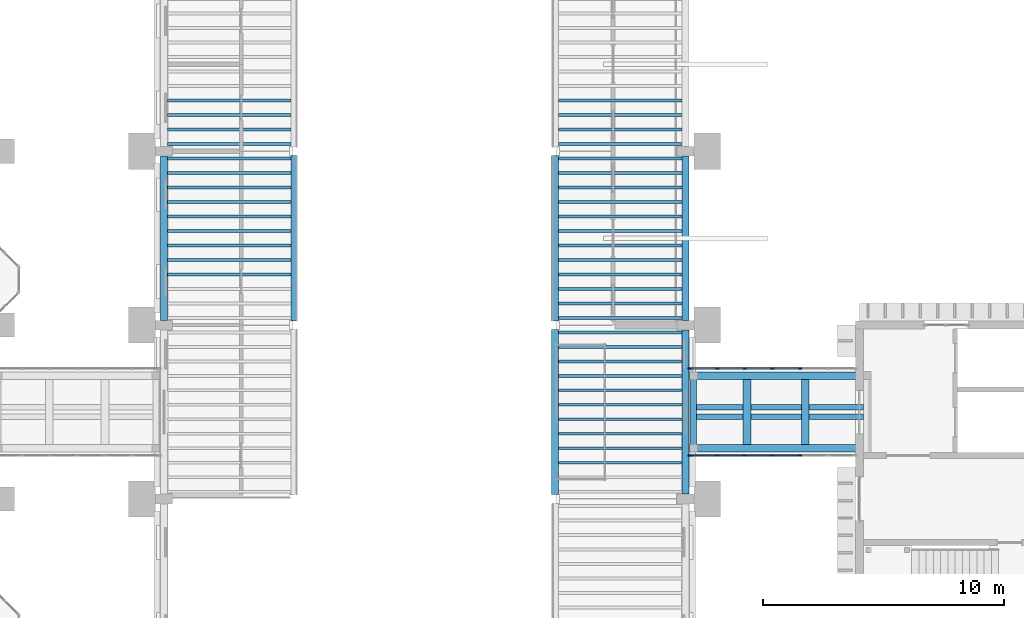
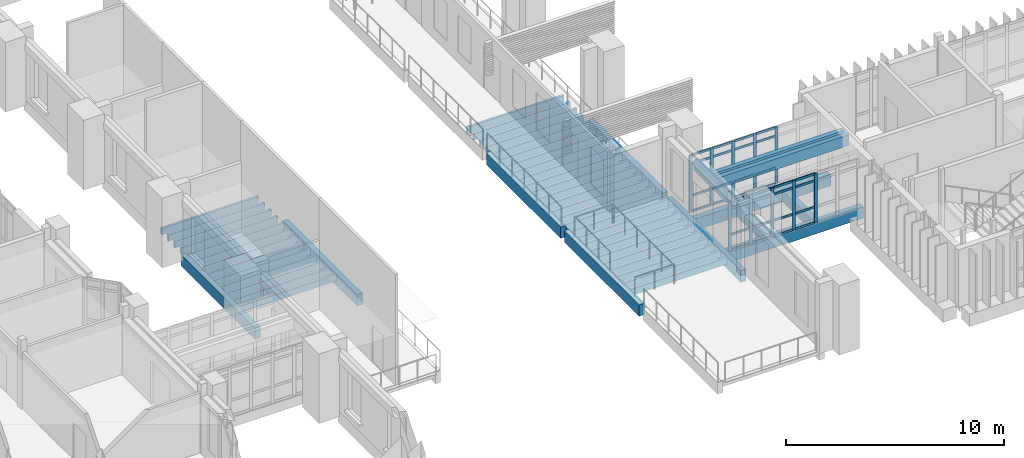
# One storey, part 8 of 69: 52 beams, 42 members, 2 elements without a shape of their own.
"""IFC4 building model written with IfcOpenShell, lengths in metres."""

from ifc_helpers import new_model, si_unit, direction, frame, origin, origin_2d, place, context, subcontext, project, spatial, rectangle, extrude, material, layer, layer_set, material_profile, profile_set, type_object, element, aggregate, save


model = new_model("IFC4")

# Units and contexts
model_context = context("Model", 3, precision=1e-05, world=origin(), true_north=direction((0.0, 1.0)))
body_context = subcontext(model_context, "Body", "Model", "MODEL_VIEW")
ifc_project = project(units=[si_unit("LENGTHUNIT", "METRE"), si_unit("AREAUNIT", "SQUARE_METRE"), si_unit("VOLUMEUNIT", "CUBIC_METRE"), si_unit("PLANEANGLEUNIT", "RADIAN"), si_unit("MASSUNIT", "GRAM", prefix="KILO")], contexts=[model_context])

# Site, building, storey
site_placement = place(None, origin())
site = spatial("IfcSite", under=ifc_project, at=site_placement, CompositionType="ELEMENT")
building_placement = place(site_placement, origin())
building = spatial("IfcBuilding", under=site, at=building_placement, Name="Mazhai Court Health Centre", CompositionType="ELEMENT")
storey_placement = place(building_placement, frame((0.0, 0.0, 6.300048828125)))
storey = spatial("IfcBuildingStorey", under=building, at=storey_placement, Name="L01", CompositionType="ELEMENT", Elevation=6.300048828125)

# Curtain wall, members
ifc_material_1 = material(Name="Teak timber frame, glazed", Category="wood")
ifc_layer = layer(ifc_material_1, 0.10009765625)
ifc_layer_set = layer_set([ifc_layer], Name="CURTAIN WALL TIMBER 1200")
curtain_wall_type = type_object("IfcCurtainWallType", Name="CURTAIN WALL TIMBER 1200", PredefinedType="NOTDEFINED", material=ifc_layer_set)
curtain_wall_1_placement = place(storey_placement, origin())
curtain_wall_1 = element("IfcCurtainWall", 1, at=curtain_wall_1_placement, inside=storey, type_object=curtain_wall_type, Name="CW-BR-P2-S", PredefinedType="NOTDEFINED")
ifc_material_2 = material(Name="Teak timber", Category="wood")
ifc_material_profile_1 = material_profile(ifc_material_2, rectangle(XDim=0.06005859375, YDim=0.159912109375, at=origin_2d()), Name="CW MULLION 60x160")
ifc_profile_set_1 = profile_set([ifc_material_profile_1], Name="Teak timber")
member_type_1 = type_object("IfcMemberType", Name="CW MULLION 60x160", PredefinedType="MULLION", material=ifc_profile_set_1)
member_1_placement = place(storey_placement, frame((63.9951171875, 22.39990234375, 0.0), z_axis=(0.0, 0.0, 1.0), x_axis=(0.0, 1.0, 0.0)))
member_1 = element("IfcMember", 2, at=member_1_placement, type_object=member_type_1, Name="CW mullion 1", PredefinedType="MULLION", context=body_context, shape_type="SweptSolid", body=[
    extrude(rectangle(XDim=0.06005859375, YDim=0.159912109375, at=origin_2d()), origin(), (0.0, 0.0, 1.0), 2.780029296875),
])
member_2_placement = place(storey_placement, frame((65.110107421875, 22.39990234375, 0.0), z_axis=(0.0, 0.0, 1.0), x_axis=(0.0, 1.0, 0.0)))
member_2 = element("IfcMember", 3, at=member_2_placement, type_object=member_type_1, Name="CW mullion 2", PredefinedType="MULLION", context=body_context, shape_type="SweptSolid", body=[
    extrude(rectangle(XDim=0.06005859375, YDim=0.159912109375, at=origin_2d()), origin(), (0.0, 0.0, 1.0), 2.780029296875),
])
member_3_placement = place(storey_placement, frame((66.2548828125, 22.39990234375, 0.0), z_axis=(0.0, 0.0, 1.0), x_axis=(0.0, 1.0, 0.0)))
member_3 = element("IfcMember", 4, at=member_3_placement, type_object=member_type_1, Name="CW mullion 3", PredefinedType="MULLION", context=body_context, shape_type="SweptSolid", body=[
    extrude(rectangle(XDim=0.06005859375, YDim=0.159912109375, at=origin_2d()), origin(), (0.0, 0.0, 1.0), 2.780029296875),
])
member_4_placement = place(storey_placement, frame((67.39990234375, 22.39990234375, 0.0), z_axis=(0.0, 0.0, 1.0), x_axis=(0.0, 1.0, 0.0)))
member_4 = element("IfcMember", 5, at=member_4_placement, type_object=member_type_1, Name="CW mullion 4", PredefinedType="MULLION", context=body_context, shape_type="SweptSolid", body=[
    extrude(rectangle(XDim=0.06005859375, YDim=0.159912109375, at=origin_2d()), origin(), (0.0, 0.0, 1.0), 2.780029296875),
])
member_5_placement = place(storey_placement, frame((68.544921875, 22.39990234375, 0.0), z_axis=(0.0, 0.0, 1.0), x_axis=(0.0, 1.0, 0.0)))
member_5 = element("IfcMember", 6, at=member_5_placement, type_object=member_type_1, Name="CW mullion 5", PredefinedType="MULLION", context=body_context, shape_type="SweptSolid", body=[
    extrude(rectangle(XDim=0.06005859375, YDim=0.159912109375, at=origin_2d()), origin(), (0.0, 0.0, 1.0), 2.780029296875),
])

curtain_wall_2_placement = place(storey_placement, origin())
curtain_wall_2 = element("IfcCurtainWall", 7, at=curtain_wall_2_placement, inside=storey, type_object=curtain_wall_type, Name="CW-BR-P2-N", PredefinedType="NOTDEFINED")
member_6_placement = place(storey_placement, frame((63.9951171875, 26.0, 0.0), z_axis=(0.0, 0.0, 1.0), x_axis=(0.0, 1.0, 0.0)))
member_6 = element("IfcMember", 8, at=member_6_placement, type_object=member_type_1, Name="CW mullion 1", PredefinedType="MULLION", context=body_context, shape_type="SweptSolid", body=[
    extrude(rectangle(XDim=0.06005859375, YDim=0.159912109375, at=origin_2d()), origin(), (0.0, 0.0, 1.0), 3.199951171875),
])
member_7_placement = place(storey_placement, frame((65.110107421875, 26.0, 0.0), z_axis=(0.0, 0.0, 1.0), x_axis=(0.0, 1.0, 0.0)))
member_7 = element("IfcMember", 9, at=member_7_placement, type_object=member_type_1, Name="CW mullion 2", PredefinedType="MULLION", context=body_context, shape_type="SweptSolid", body=[
    extrude(rectangle(XDim=0.06005859375, YDim=0.159912109375, at=origin_2d()), origin(), (0.0, 0.0, 1.0), 3.199951171875),
])
member_8_placement = place(storey_placement, frame((66.2548828125, 26.0, 0.0), z_axis=(0.0, 0.0, 1.0), x_axis=(0.0, 1.0, 0.0)))
member_8 = element("IfcMember", 10, at=member_8_placement, type_object=member_type_1, Name="CW mullion 3", PredefinedType="MULLION", context=body_context, shape_type="SweptSolid", body=[
    extrude(rectangle(XDim=0.06005859375, YDim=0.159912109375, at=origin_2d()), origin(), (0.0, 0.0, 1.0), 3.199951171875),
])
member_9_placement = place(storey_placement, frame((67.39990234375, 26.0, 0.0), z_axis=(0.0, 0.0, 1.0), x_axis=(0.0, 1.0, 0.0)))
member_9 = element("IfcMember", 11, at=member_9_placement, type_object=member_type_1, Name="CW mullion 4", PredefinedType="MULLION", context=body_context, shape_type="SweptSolid", body=[
    extrude(rectangle(XDim=0.06005859375, YDim=0.159912109375, at=origin_2d()), origin(), (0.0, 0.0, 1.0), 3.199951171875),
])
member_10_placement = place(storey_placement, frame((68.544921875, 26.0, 0.0), z_axis=(0.0, 0.0, 1.0), x_axis=(0.0, 1.0, 0.0)))
member_10 = element("IfcMember", 12, at=member_10_placement, type_object=member_type_1, Name="CW mullion 5", PredefinedType="MULLION", context=body_context, shape_type="SweptSolid", body=[
    extrude(rectangle(XDim=0.06005859375, YDim=0.159912109375, at=origin_2d()), origin(), (0.0, 0.0, 1.0), 3.199951171875),
])

# Member
ifc_material_3 = material(Name="Teak timber", Category="wood")
ifc_material_profile_2 = material_profile(ifc_material_3, rectangle(XDim=0.06005859375, YDim=0.1201171875, at=origin_2d()), Name="CW TRANSOM 60x120")
ifc_profile_set_2 = profile_set([ifc_material_profile_2], Name="Teak timber")
member_type_2 = type_object("IfcMemberType", Name="CW TRANSOM 60x120", PredefinedType="USERDEFINED", material=ifc_profile_set_2)
member_11_placement = place(storey_placement, frame((64.02490234375, 22.39990234375, 0.030029296875), z_axis=(1.0, 0.0, 0.0), x_axis=(0.0, 1.0, 0.0)))
member_11 = element("IfcMember", 13, at=member_11_placement, type_object=member_type_2, Name="CW transom 1.1", ObjectType="TRANSOM", PredefinedType="USERDEFINED", context=body_context, shape_type="SweptSolid", body=[
    extrude(rectangle(XDim=0.06005859375, YDim=0.1201171875, at=origin_2d()), origin(), (0.0, 0.0, 1.0), 1.05517578125),
])

member_12_placement = place(storey_placement, frame((64.02490234375, 22.39990234375, 0.89990234375), z_axis=(1.0, 0.0, 0.0), x_axis=(0.0, 1.0, 0.0)))
member_12 = element("IfcMember", 14, at=member_12_placement, type_object=member_type_2, Name="CW transom 1.2", ObjectType="TRANSOM", PredefinedType="USERDEFINED", context=body_context, shape_type="SweptSolid", body=[
    extrude(rectangle(XDim=0.06005859375, YDim=0.1201171875, at=origin_2d()), origin(), (0.0, 0.0, 1.0), 1.05517578125),
])

member_13_placement = place(storey_placement, frame((64.02490234375, 22.39990234375, 2.3798828125), z_axis=(1.0, 0.0, 0.0), x_axis=(0.0, 1.0, 0.0)))
member_13 = element("IfcMember", 15, at=member_13_placement, type_object=member_type_2, Name="CW transom 1.3", ObjectType="TRANSOM", PredefinedType="USERDEFINED", context=body_context, shape_type="SweptSolid", body=[
    extrude(rectangle(XDim=0.06005859375, YDim=0.1201171875, at=origin_2d()), origin(), (0.0, 0.0, 1.0), 1.05517578125),
])

member_14_placement = place(storey_placement, frame((64.02490234375, 22.39990234375, 2.75), z_axis=(1.0, 0.0, 0.0), x_axis=(0.0, 1.0, 0.0)))
member_14 = element("IfcMember", 16, at=member_14_placement, type_object=member_type_2, Name="CW transom 1.4", ObjectType="TRANSOM", PredefinedType="USERDEFINED", context=body_context, shape_type="SweptSolid", body=[
    extrude(rectangle(XDim=0.06005859375, YDim=0.1201171875, at=origin_2d()), origin(), (0.0, 0.0, 1.0), 1.05517578125),
])

member_15_placement = place(storey_placement, frame((65.139892578125, 22.39990234375, 0.030029296875), z_axis=(1.0, 0.0, 0.0), x_axis=(0.0, 1.0, 0.0)))
member_15 = element("IfcMember", 17, at=member_15_placement, type_object=member_type_2, Name="CW transom 2.1", ObjectType="TRANSOM", PredefinedType="USERDEFINED", context=body_context, shape_type="SweptSolid", body=[
    extrude(rectangle(XDim=0.06005859375, YDim=0.1201171875, at=origin_2d()), origin(), (0.0, 0.0, 1.0), 1.085205078125),
])

member_16_placement = place(storey_placement, frame((65.139892578125, 22.39990234375, 0.89990234375), z_axis=(1.0, 0.0, 0.0), x_axis=(0.0, 1.0, 0.0)))
member_16 = element("IfcMember", 18, at=member_16_placement, type_object=member_type_2, Name="CW transom 2.2", ObjectType="TRANSOM", PredefinedType="USERDEFINED", context=body_context, shape_type="SweptSolid", body=[
    extrude(rectangle(XDim=0.06005859375, YDim=0.1201171875, at=origin_2d()), origin(), (0.0, 0.0, 1.0), 1.085205078125),
])

member_17_placement = place(storey_placement, frame((65.139892578125, 22.39990234375, 2.3798828125), z_axis=(1.0, 0.0, 0.0), x_axis=(0.0, 1.0, 0.0)))
member_17 = element("IfcMember", 19, at=member_17_placement, type_object=member_type_2, Name="CW transom 2.3", ObjectType="TRANSOM", PredefinedType="USERDEFINED", context=body_context, shape_type="SweptSolid", body=[
    extrude(rectangle(XDim=0.06005859375, YDim=0.1201171875, at=origin_2d()), origin(), (0.0, 0.0, 1.0), 1.085205078125),
])

member_18_placement = place(storey_placement, frame((65.139892578125, 22.39990234375, 2.75), z_axis=(1.0, 0.0, 0.0), x_axis=(0.0, 1.0, 0.0)))
member_18 = element("IfcMember", 20, at=member_18_placement, type_object=member_type_2, Name="CW transom 2.4", ObjectType="TRANSOM", PredefinedType="USERDEFINED", context=body_context, shape_type="SweptSolid", body=[
    extrude(rectangle(XDim=0.06005859375, YDim=0.1201171875, at=origin_2d()), origin(), (0.0, 0.0, 1.0), 1.085205078125),
])

member_19_placement = place(storey_placement, frame((66.284912109375, 22.39990234375, 0.030029296875), z_axis=(1.0, 0.0, 0.0), x_axis=(0.0, 1.0, 0.0)))
member_19 = element("IfcMember", 21, at=member_19_placement, type_object=member_type_2, Name="CW transom 3.1", ObjectType="TRANSOM", PredefinedType="USERDEFINED", context=body_context, shape_type="SweptSolid", body=[
    extrude(rectangle(XDim=0.06005859375, YDim=0.1201171875, at=origin_2d()), origin(), (0.0, 0.0, 1.0), 1.085205078125),
])

member_20_placement = place(storey_placement, frame((66.284912109375, 22.39990234375, 0.89990234375), z_axis=(1.0, 0.0, 0.0), x_axis=(0.0, 1.0, 0.0)))
member_20 = element("IfcMember", 22, at=member_20_placement, type_object=member_type_2, Name="CW transom 3.2", ObjectType="TRANSOM", PredefinedType="USERDEFINED", context=body_context, shape_type="SweptSolid", body=[
    extrude(rectangle(XDim=0.06005859375, YDim=0.1201171875, at=origin_2d()), origin(), (0.0, 0.0, 1.0), 1.085205078125),
])

member_21_placement = place(storey_placement, frame((66.284912109375, 22.39990234375, 2.3798828125), z_axis=(1.0, 0.0, 0.0), x_axis=(0.0, 1.0, 0.0)))
member_21 = element("IfcMember", 23, at=member_21_placement, type_object=member_type_2, Name="CW transom 3.3", ObjectType="TRANSOM", PredefinedType="USERDEFINED", context=body_context, shape_type="SweptSolid", body=[
    extrude(rectangle(XDim=0.06005859375, YDim=0.1201171875, at=origin_2d()), origin(), (0.0, 0.0, 1.0), 1.085205078125),
])

member_22_placement = place(storey_placement, frame((66.284912109375, 22.39990234375, 2.75), z_axis=(1.0, 0.0, 0.0), x_axis=(0.0, 1.0, 0.0)))
member_22 = element("IfcMember", 24, at=member_22_placement, type_object=member_type_2, Name="CW transom 3.4", ObjectType="TRANSOM", PredefinedType="USERDEFINED", context=body_context, shape_type="SweptSolid", body=[
    extrude(rectangle(XDim=0.06005859375, YDim=0.1201171875, at=origin_2d()), origin(), (0.0, 0.0, 1.0), 1.085205078125),
])

member_23_placement = place(storey_placement, frame((67.429931640625, 22.39990234375, 0.030029296875), z_axis=(1.0, 0.0, 0.0), x_axis=(0.0, 1.0, 0.0)))
member_23 = element("IfcMember", 25, at=member_23_placement, type_object=member_type_2, Name="CW transom 4.1", ObjectType="TRANSOM", PredefinedType="USERDEFINED", context=body_context, shape_type="SweptSolid", body=[
    extrude(rectangle(XDim=0.06005859375, YDim=0.1201171875, at=origin_2d()), origin(), (0.0, 0.0, 1.0), 1.0849609375),
])

member_24_placement = place(storey_placement, frame((67.429931640625, 22.39990234375, 0.89990234375), z_axis=(1.0, 0.0, 0.0), x_axis=(0.0, 1.0, 0.0)))
member_24 = element("IfcMember", 26, at=member_24_placement, type_object=member_type_2, Name="CW transom 4.2", ObjectType="TRANSOM", PredefinedType="USERDEFINED", context=body_context, shape_type="SweptSolid", body=[
    extrude(rectangle(XDim=0.06005859375, YDim=0.1201171875, at=origin_2d()), origin(), (0.0, 0.0, 1.0), 1.0849609375),
])

member_25_placement = place(storey_placement, frame((67.429931640625, 22.39990234375, 2.3798828125), z_axis=(1.0, 0.0, 0.0), x_axis=(0.0, 1.0, 0.0)))
member_25 = element("IfcMember", 27, at=member_25_placement, type_object=member_type_2, Name="CW transom 4.3", ObjectType="TRANSOM", PredefinedType="USERDEFINED", context=body_context, shape_type="SweptSolid", body=[
    extrude(rectangle(XDim=0.06005859375, YDim=0.1201171875, at=origin_2d()), origin(), (0.0, 0.0, 1.0), 1.0849609375),
])

member_26_placement = place(storey_placement, frame((67.429931640625, 22.39990234375, 2.75), z_axis=(1.0, 0.0, 0.0), x_axis=(0.0, 1.0, 0.0)))
member_26 = element("IfcMember", 28, at=member_26_placement, type_object=member_type_2, Name="CW transom 4.4", ObjectType="TRANSOM", PredefinedType="USERDEFINED", context=body_context, shape_type="SweptSolid", body=[
    extrude(rectangle(XDim=0.06005859375, YDim=0.1201171875, at=origin_2d()), origin(), (0.0, 0.0, 1.0), 1.0849609375),
])

aggregate(curtain_wall_1, [member_1, member_2, member_3, member_4, member_5, member_11, member_12, member_13, member_14, member_15, member_16, member_17, member_18, member_19, member_20, member_21, member_22, member_23, member_24, member_25, member_26])

member_27_placement = place(storey_placement, frame((64.02490234375, 26.0, 0.030029296875), z_axis=(1.0, 0.0, 0.0), x_axis=(0.0, 1.0, 0.0)))
member_27 = element("IfcMember", 29, at=member_27_placement, type_object=member_type_2, Name="CW transom 1.1", ObjectType="TRANSOM", PredefinedType="USERDEFINED", context=body_context, shape_type="SweptSolid", body=[
    extrude(rectangle(XDim=0.06005859375, YDim=0.1201171875, at=origin_2d()), origin(), (0.0, 0.0, 1.0), 1.05517578125),
])

member_28_placement = place(storey_placement, frame((64.02490234375, 26.0, 0.89990234375), z_axis=(1.0, 0.0, 0.0), x_axis=(0.0, 1.0, 0.0)))
member_28 = element("IfcMember", 30, at=member_28_placement, type_object=member_type_2, Name="CW transom 1.2", ObjectType="TRANSOM", PredefinedType="USERDEFINED", context=body_context, shape_type="SweptSolid", body=[
    extrude(rectangle(XDim=0.06005859375, YDim=0.1201171875, at=origin_2d()), origin(), (0.0, 0.0, 1.0), 1.05517578125),
])

member_29_placement = place(storey_placement, frame((64.02490234375, 26.0, 2.699951171875), z_axis=(1.0, 0.0, 0.0), x_axis=(0.0, 1.0, 0.0)))
member_29 = element("IfcMember", 31, at=member_29_placement, type_object=member_type_2, Name="CW transom 1.3", ObjectType="TRANSOM", PredefinedType="USERDEFINED", context=body_context, shape_type="SweptSolid", body=[
    extrude(rectangle(XDim=0.06005859375, YDim=0.1201171875, at=origin_2d()), origin(), (0.0, 0.0, 1.0), 1.05517578125),
])

member_30_placement = place(storey_placement, frame((64.02490234375, 26.0, 3.169921875), z_axis=(1.0, 0.0, 0.0), x_axis=(0.0, 1.0, 0.0)))
member_30 = element("IfcMember", 32, at=member_30_placement, type_object=member_type_2, Name="CW transom 1.4", ObjectType="TRANSOM", PredefinedType="USERDEFINED", context=body_context, shape_type="SweptSolid", body=[
    extrude(rectangle(XDim=0.06005859375, YDim=0.1201171875, at=origin_2d()), origin(), (0.0, 0.0, 1.0), 1.05517578125),
])

member_31_placement = place(storey_placement, frame((65.139892578125, 26.0, 0.030029296875), z_axis=(1.0, 0.0, 0.0), x_axis=(0.0, 1.0, 0.0)))
member_31 = element("IfcMember", 33, at=member_31_placement, type_object=member_type_2, Name="CW transom 2.1", ObjectType="TRANSOM", PredefinedType="USERDEFINED", context=body_context, shape_type="SweptSolid", body=[
    extrude(rectangle(XDim=0.06005859375, YDim=0.1201171875, at=origin_2d()), origin(), (0.0, 0.0, 1.0), 1.085205078125),
])

member_32_placement = place(storey_placement, frame((65.139892578125, 26.0, 0.89990234375), z_axis=(1.0, 0.0, 0.0), x_axis=(0.0, 1.0, 0.0)))
member_32 = element("IfcMember", 34, at=member_32_placement, type_object=member_type_2, Name="CW transom 2.2", ObjectType="TRANSOM", PredefinedType="USERDEFINED", context=body_context, shape_type="SweptSolid", body=[
    extrude(rectangle(XDim=0.06005859375, YDim=0.1201171875, at=origin_2d()), origin(), (0.0, 0.0, 1.0), 1.085205078125),
])

member_33_placement = place(storey_placement, frame((65.139892578125, 26.0, 2.699951171875), z_axis=(1.0, 0.0, 0.0), x_axis=(0.0, 1.0, 0.0)))
member_33 = element("IfcMember", 35, at=member_33_placement, type_object=member_type_2, Name="CW transom 2.3", ObjectType="TRANSOM", PredefinedType="USERDEFINED", context=body_context, shape_type="SweptSolid", body=[
    extrude(rectangle(XDim=0.06005859375, YDim=0.1201171875, at=origin_2d()), origin(), (0.0, 0.0, 1.0), 1.085205078125),
])

member_34_placement = place(storey_placement, frame((65.139892578125, 26.0, 3.169921875), z_axis=(1.0, 0.0, 0.0), x_axis=(0.0, 1.0, 0.0)))
member_34 = element("IfcMember", 36, at=member_34_placement, type_object=member_type_2, Name="CW transom 2.4", ObjectType="TRANSOM", PredefinedType="USERDEFINED", context=body_context, shape_type="SweptSolid", body=[
    extrude(rectangle(XDim=0.06005859375, YDim=0.1201171875, at=origin_2d()), origin(), (0.0, 0.0, 1.0), 1.085205078125),
])

member_35_placement = place(storey_placement, frame((66.284912109375, 26.0, 0.030029296875), z_axis=(1.0, 0.0, 0.0), x_axis=(0.0, 1.0, 0.0)))
member_35 = element("IfcMember", 37, at=member_35_placement, type_object=member_type_2, Name="CW transom 3.1", ObjectType="TRANSOM", PredefinedType="USERDEFINED", context=body_context, shape_type="SweptSolid", body=[
    extrude(rectangle(XDim=0.06005859375, YDim=0.1201171875, at=origin_2d()), origin(), (0.0, 0.0, 1.0), 1.085205078125),
])

member_36_placement = place(storey_placement, frame((66.284912109375, 26.0, 0.89990234375), z_axis=(1.0, 0.0, 0.0), x_axis=(0.0, 1.0, 0.0)))
member_36 = element("IfcMember", 38, at=member_36_placement, type_object=member_type_2, Name="CW transom 3.2", ObjectType="TRANSOM", PredefinedType="USERDEFINED", context=body_context, shape_type="SweptSolid", body=[
    extrude(rectangle(XDim=0.06005859375, YDim=0.1201171875, at=origin_2d()), origin(), (0.0, 0.0, 1.0), 1.085205078125),
])

member_37_placement = place(storey_placement, frame((66.284912109375, 26.0, 2.699951171875), z_axis=(1.0, 0.0, 0.0), x_axis=(0.0, 1.0, 0.0)))
member_37 = element("IfcMember", 39, at=member_37_placement, type_object=member_type_2, Name="CW transom 3.3", ObjectType="TRANSOM", PredefinedType="USERDEFINED", context=body_context, shape_type="SweptSolid", body=[
    extrude(rectangle(XDim=0.06005859375, YDim=0.1201171875, at=origin_2d()), origin(), (0.0, 0.0, 1.0), 1.085205078125),
])

member_38_placement = place(storey_placement, frame((66.284912109375, 26.0, 3.169921875), z_axis=(1.0, 0.0, 0.0), x_axis=(0.0, 1.0, 0.0)))
member_38 = element("IfcMember", 40, at=member_38_placement, type_object=member_type_2, Name="CW transom 3.4", ObjectType="TRANSOM", PredefinedType="USERDEFINED", context=body_context, shape_type="SweptSolid", body=[
    extrude(rectangle(XDim=0.06005859375, YDim=0.1201171875, at=origin_2d()), origin(), (0.0, 0.0, 1.0), 1.085205078125),
])

member_39_placement = place(storey_placement, frame((67.429931640625, 26.0, 0.030029296875), z_axis=(1.0, 0.0, 0.0), x_axis=(0.0, 1.0, 0.0)))
member_39 = element("IfcMember", 41, at=member_39_placement, type_object=member_type_2, Name="CW transom 4.1", ObjectType="TRANSOM", PredefinedType="USERDEFINED", context=body_context, shape_type="SweptSolid", body=[
    extrude(rectangle(XDim=0.06005859375, YDim=0.1201171875, at=origin_2d()), origin(), (0.0, 0.0, 1.0), 1.0849609375),
])

member_40_placement = place(storey_placement, frame((67.429931640625, 26.0, 0.89990234375), z_axis=(1.0, 0.0, 0.0), x_axis=(0.0, 1.0, 0.0)))
member_40 = element("IfcMember", 42, at=member_40_placement, type_object=member_type_2, Name="CW transom 4.2", ObjectType="TRANSOM", PredefinedType="USERDEFINED", context=body_context, shape_type="SweptSolid", body=[
    extrude(rectangle(XDim=0.06005859375, YDim=0.1201171875, at=origin_2d()), origin(), (0.0, 0.0, 1.0), 1.0849609375),
])

member_41_placement = place(storey_placement, frame((67.429931640625, 26.0, 2.699951171875), z_axis=(1.0, 0.0, 0.0), x_axis=(0.0, 1.0, 0.0)))
member_41 = element("IfcMember", 43, at=member_41_placement, type_object=member_type_2, Name="CW transom 4.3", ObjectType="TRANSOM", PredefinedType="USERDEFINED", context=body_context, shape_type="SweptSolid", body=[
    extrude(rectangle(XDim=0.06005859375, YDim=0.1201171875, at=origin_2d()), origin(), (0.0, 0.0, 1.0), 1.0849609375),
])

member_42_placement = place(storey_placement, frame((67.429931640625, 26.0, 3.169921875), z_axis=(1.0, 0.0, 0.0), x_axis=(0.0, 1.0, 0.0)))
member_42 = element("IfcMember", 44, at=member_42_placement, type_object=member_type_2, Name="CW transom 4.4", ObjectType="TRANSOM", PredefinedType="USERDEFINED", context=body_context, shape_type="SweptSolid", body=[
    extrude(rectangle(XDim=0.06005859375, YDim=0.1201171875, at=origin_2d()), origin(), (0.0, 0.0, 1.0), 1.0849609375),
])

aggregate(curtain_wall_2, [member_6, member_7, member_8, member_9, member_10, member_27, member_28, member_29, member_30, member_31, member_32, member_33, member_34, member_35, member_36, member_37, member_38, member_39, member_40, member_41, member_42])

# Beams
ifc_material_4 = material(Name="Glulam GL24h", Category="wood")
ifc_material_profile_3 = material_profile(ifc_material_4, rectangle(XDim=0.1201171875, YDim=0.360107421875, at=origin_2d()), Name="GL24h 120x360")
ifc_profile_set_3 = profile_set([ifc_material_profile_3], Name="Glulam GL24h")
beam_type_1 = type_object("IfcBeamType", Name="GL24h 120x360 joist", PredefinedType="JOIST", material=ifc_profile_set_3)
for number, where, z_axis, x_axis, name in (
    (45, (42.340087890625, 29.89990234375, -0.219970703125), (1.0, 0.0, 0.0), (0.0, 1.0, 0.0), "joist-V1-L01-W2-3"),
    (46, (42.340087890625, 30.5, -0.219970703125), (1.0, 0.0, 0.0), (0.0, 1.0, 0.0), "joist-V1-L01-W2-4"),
    (47, (42.340087890625, 31.10009765625, -0.219970703125), (1.0, 0.0, 0.0), (0.0, 1.0, 0.0), "joist-V1-L01-W2-5"),
    (48, (42.340087890625, 31.699951171875, -0.219970703125), (1.0, 0.0, 0.0), (0.0, 1.0, 0.0), "joist-V1-L01-W2-6"),
    (49, (42.340087890625, 32.300048828125, -0.219970703125), (1.0, 0.0, 0.0), (0.0, 1.0, 0.0), "joist-V1-L01-W2-7"),
    (50, (42.340087890625, 32.89990234375, -0.219970703125), (1.0, 0.0, 0.0), (0.0, 1.0, 0.0), "joist-V1-L01-W2-8"),
    (51, (42.340087890625, 33.5, -0.219970703125), (1.0, 0.0, 0.0), (0.0, 1.0, 0.0), "joist-V1-L01-W2-9"),
    (52, (42.340087890625, 34.10009765625, -0.219970703125), (1.0, 0.0, 0.0), (0.0, 1.0, 0.0), "joist-V1-L01-W2-10"),
    (53, (42.340087890625, 34.699951171875, -0.219970703125), (1.0, 0.0, 0.0), (0.0, 1.0, 0.0), "joist-V1-L01-W2-11"),
    (54, (42.340087890625, 35.300048828125, -0.219970703125), (1.0, 0.0, 0.0), (0.0, 1.0, 0.0), "joist-V1-L01-W3-0"),
    (55, (42.340087890625, 35.89990234375, -0.219970703125), (1.0, 0.0, 0.0), (0.0, 1.0, 0.0), "joist-V1-L01-W3-1"),
    (56, (42.340087890625, 36.5, -0.219970703125), (1.0, 0.0, 0.0), (0.0, 1.0, 0.0), "joist-V1-L01-W3-2"),
    (57, (42.340087890625, 37.10009765625, -0.219970703125), (1.0, 0.0, 0.0), (0.0, 1.0, 0.0), "joist-V1-L01-W3-3"),
    (58, (58.5400390625, 22.10009765625, -0.219970703125), (1.0, 0.0, 0.0), (0.0, 1.0, 0.0), "joist-V1-L01-E1-2"),
    (59, (58.5400390625, 22.699951171875, -0.219970703125), (1.0, 0.0, 0.0), (0.0, 1.0, 0.0), "joist-V1-L01-E1-3"),
    (60, (58.5400390625, 23.300048828125, -0.219970703125), (1.0, 0.0, 0.0), (0.0, 1.0, 0.0), "joist-V1-L01-E1-4"),
    (61, (58.5400390625, 23.89990234375, -0.219970703125), (1.0, 0.0, 0.0), (0.0, 1.0, 0.0), "joist-V1-L01-E1-5"),
    (62, (58.5400390625, 24.5, -0.219970703125), (1.0, 0.0, 0.0), (0.0, 1.0, 0.0), "joist-V1-L01-E1-6"),
    (63, (58.5400390625, 25.10009765625, -0.219970703125), (1.0, 0.0, 0.0), (0.0, 1.0, 0.0), "joist-V1-L01-E1-7"),
    (64, (58.5400390625, 25.699951171875, -0.219970703125), (1.0, 0.0, 0.0), (0.0, 1.0, 0.0), "joist-V1-L01-E1-8"),
    (65, (58.5400390625, 26.300048828125, -0.219970703125), (1.0, 0.0, 0.0), (0.0, 1.0, 0.0), "joist-V1-L01-E1-9"),
    (66, (58.5400390625, 26.89990234375, -0.219970703125), (1.0, 0.0, 0.0), (0.0, 1.0, 0.0), "joist-V1-L01-E1-10"),
    (67, (58.5400390625, 27.5, -0.219970703125), (1.0, 0.0, 0.0), (0.0, 1.0, 0.0), "joist-V1-L01-E1-11"),
    (68, (58.5400390625, 28.10009765625, -0.219970703125), (1.0, 0.0, 0.0), (0.0, 1.0, 0.0), "joist-V1-L01-E2-0"),
    (69, (58.5400390625, 28.699951171875, -0.219970703125), (1.0, 0.0, 0.0), (0.0, 1.0, 0.0), "joist-V1-L01-E2-1"),
    (70, (58.5400390625, 29.300048828125, -0.219970703125), (1.0, 0.0, 0.0), (0.0, 1.0, 0.0), "joist-V1-L01-E2-2"),
    (71, (58.5400390625, 29.89990234375, -0.219970703125), (1.0, 0.0, 0.0), (0.0, 1.0, 0.0), "joist-V1-L01-E2-3"),
    (72, (58.5400390625, 30.5, -0.219970703125), (1.0, 0.0, 0.0), (0.0, 1.0, 0.0), "joist-V1-L01-E2-4"),
    (73, (58.5400390625, 31.10009765625, -0.219970703125), (1.0, 0.0, 0.0), (0.0, 1.0, 0.0), "joist-V1-L01-E2-5"),
    (74, (58.5400390625, 31.699951171875, -0.219970703125), (1.0, 0.0, 0.0), (0.0, 1.0, 0.0), "joist-V1-L01-E2-6"),
    (75, (58.5400390625, 32.300048828125, -0.219970703125), (1.0, 0.0, 0.0), (0.0, 1.0, 0.0), "joist-V1-L01-E2-7"),
    (76, (58.5400390625, 32.89990234375, -0.219970703125), (1.0, 0.0, 0.0), (0.0, 1.0, 0.0), "joist-V1-L01-E2-8"),
    (77, (58.5400390625, 33.5, -0.219970703125), (1.0, 0.0, 0.0), (0.0, 1.0, 0.0), "joist-V1-L01-E2-9"),
    (78, (58.5400390625, 34.10009765625, -0.219970703125), (1.0, 0.0, 0.0), (0.0, 1.0, 0.0), "joist-V1-L01-E2-10"),
    (79, (58.5400390625, 34.699951171875, -0.219970703125), (1.0, 0.0, 0.0), (0.0, 1.0, 0.0), "joist-V1-L01-E2-11"),
    (80, (58.5400390625, 35.300048828125, -0.219970703125), (1.0, 0.0, 0.0), (0.0, 1.0, 0.0), "joist-V1-L01-E3-0"),
    (81, (58.5400390625, 35.89990234375, -0.219970703125), (1.0, 0.0, 0.0), (0.0, 1.0, 0.0), "joist-V1-L01-E3-1"),
    (82, (58.5400390625, 36.5, -0.219970703125), (1.0, 0.0, 0.0), (0.0, 1.0, 0.0), "joist-V1-L01-E3-2"),
    (83, (58.5400390625, 37.10009765625, -0.219970703125), (1.0, 0.0, 0.0), (0.0, 1.0, 0.0), "joist-V1-L01-E3-3"),
):
    element("IfcBeam", number, at=place(storey_placement, frame(where, z_axis=z_axis, x_axis=x_axis)), inside=storey, type_object=beam_type_1, Name=name, PredefinedType="JOIST", context=body_context, shape_type="SweptSolid", body=[
        extrude(rectangle(XDim=0.1201171875, YDim=0.360107421875, at=origin_2d()), origin(), (0.0, 0.0, 1.0), 5.119873046875),
    ])
ifc_material_5 = material(Name="Glulam GL28h", Category="wood")
ifc_material_profile_4 = material_profile(ifc_material_5, rectangle(XDim=0.239990234375, YDim=0.60009765625, at=origin_2d()), Name="GL28h 240x600")
ifc_profile_set_4 = profile_set([ifc_material_profile_4], Name="Glulam GL28h")
beam_type_2 = type_object("IfcBeamType", Name="GL28h 240x600 header", PredefinedType="BEAM", material=ifc_profile_set_4)
beam_1_placement = place(storey_placement, frame((64.135009765625, 22.699951171875, 2.804931640625), z_axis=(0.0, 1.0, 0.0), x_axis=(-1.0, 0.0, 0.0)))
element("IfcBeam", 84, at=beam_1_placement, inside=storey, type_object=beam_type_2, Name="header-BR-P2-roof-W", PredefinedType="BEAM", context=body_context, shape_type="SweptSolid", body=[
    extrude(rectangle(XDim=0.239990234375, YDim=0.60009765625, at=origin_2d()), origin(), (0.0, 0.0, 1.0), 3.0),
])
ifc_material_6 = material(Name="Glulam GL28h", Category="wood")
ifc_material_profile_5 = material_profile(ifc_material_6, rectangle(XDim=0.239990234375, YDim=0.60009765625, at=origin_2d()), Name="GL28h 240x600")
ifc_profile_set_5 = profile_set([ifc_material_profile_5], Name="Glulam GL28h")
beam_type_3 = type_object("IfcBeamType", Name="GL28h 240x600 roof beam", PredefinedType="BEAM", material=ifc_profile_set_5)
for number, where, z_axis, x_axis, name in (
    (85, (64.2548828125, 24.0, 2.804931640625), (1.0, 0.0, 0.0), (0.0, 1.0, 0.0), "beam-BR-P2-roof-S"),
    (86, (64.2548828125, 24.39990234375, 2.804931640625), (1.0, 0.0, 0.0), (0.0, 1.0, 0.0), "beam-BR-P2-roof-N"),
):
    element("IfcBeam", number, at=place(storey_placement, frame(where, z_axis=z_axis, x_axis=x_axis)), inside=storey, type_object=beam_type_3, Name=name, PredefinedType="BEAM", context=body_context, shape_type="SweptSolid", body=[
        extrude(rectangle(XDim=0.239990234375, YDim=0.60009765625, at=origin_2d()), origin(), (0.0, 0.0, 1.0), 6.9150390625),
    ])
ifc_material_7 = material(Name="Glulam GL28h", Category="wood")
ifc_material_profile_6 = material_profile(ifc_material_7, rectangle(XDim=0.280029296875, YDim=0.639892578125, at=origin_2d()), Name="GL28h 280x640")
ifc_profile_set_6 = profile_set([ifc_material_profile_6], Name="Glulam GL28h")
beam_type_4 = type_object("IfcBeamType", Name="GL28h 280x640 beam", PredefinedType="BEAM", material=ifc_profile_set_6)
beam_2_placement = place(storey_placement, frame((42.199951171875, 28.0, -0.360107421875), z_axis=(0.0, 1.0, 0.0), x_axis=(-1.0, 0.0, 0.0)))
element("IfcBeam", 87, at=beam_2_placement, inside=storey, type_object=beam_type_4, Name="beam-V1-L01-wW2", PredefinedType="BEAM", context=body_context, shape_type="SweptSolid", body=[
    extrude(rectangle(XDim=0.280029296875, YDim=0.639892578125, at=origin_2d()), origin(), (0.0, 0.0, 1.0), 6.800048828125),
])
beam_3_placement = place(storey_placement, frame((47.60009765625, 27.97998046875, -0.360107421875), z_axis=(0.0, 1.0, 0.0), x_axis=(-1.0, 0.0, 0.0)))
element("IfcBeam", 88, at=beam_3_placement, inside=storey, type_object=beam_type_4, Name="beam-V1-L01-aW2", PredefinedType="BEAM", context=body_context, shape_type="SweptSolid", body=[
    extrude(rectangle(XDim=0.280029296875, YDim=0.639892578125, at=origin_2d()), origin(), (0.0, 0.0, 1.0), 6.840087890625),
])
beam_4_placement = place(storey_placement, frame((63.800048828125, 20.800048828125, -0.360107421875), z_axis=(0.0, 1.0, 0.0), x_axis=(-1.0, 0.0, 0.0)))
element("IfcBeam", 89, at=beam_4_placement, inside=storey, type_object=beam_type_4, Name="beam-V1-L01-wE1", PredefinedType="BEAM", context=body_context, shape_type="SweptSolid", body=[
    extrude(rectangle(XDim=0.280029296875, YDim=0.639892578125, at=origin_2d()), origin(), (0.0, 0.0, 1.0), 6.800048828125),
])
beam_5_placement = place(storey_placement, frame((58.39990234375, 20.780029296875, -0.360107421875), z_axis=(0.0, 1.0, 0.0), x_axis=(-1.0, 0.0, 0.0)))
element("IfcBeam", 90, at=beam_5_placement, inside=storey, type_object=beam_type_4, Name="beam-V1-L01-aE1", PredefinedType="BEAM", context=body_context, shape_type="SweptSolid", body=[
    extrude(rectangle(XDim=0.280029296875, YDim=0.639892578125, at=origin_2d()), origin(), (0.0, 0.0, 1.0), 6.840087890625),
])
beam_6_placement = place(storey_placement, frame((63.800048828125, 28.0, -0.360107421875), z_axis=(0.0, 1.0, 0.0), x_axis=(-1.0, 0.0, 0.0)))
element("IfcBeam", 91, at=beam_6_placement, inside=storey, type_object=beam_type_4, Name="beam-V1-L01-wE2", PredefinedType="BEAM", context=body_context, shape_type="SweptSolid", body=[
    extrude(rectangle(XDim=0.280029296875, YDim=0.639892578125, at=origin_2d()), origin(), (0.0, 0.0, 1.0), 6.800048828125),
])
beam_7_placement = place(storey_placement, frame((58.39990234375, 27.97998046875, -0.360107421875), z_axis=(0.0, 1.0, 0.0), x_axis=(-1.0, 0.0, 0.0)))
element("IfcBeam", 92, at=beam_7_placement, inside=storey, type_object=beam_type_4, Name="beam-V1-L01-aE2", PredefinedType="BEAM", context=body_context, shape_type="SweptSolid", body=[
    extrude(rectangle(XDim=0.280029296875, YDim=0.639892578125, at=origin_2d()), origin(), (0.0, 0.0, 1.0), 6.840087890625),
])
ifc_material_8 = material(Name="Glulam GL28h", Category="wood")
ifc_material_profile_7 = material_profile(ifc_material_8, rectangle(XDim=0.320068359375, YDim=0.639892578125, at=origin_2d()), Name="GL28h 320x640")
ifc_profile_set_7 = profile_set([ifc_material_profile_7], Name="Glulam GL28h")
beam_type_5 = type_object("IfcBeamType", Name="GL28h 320x640 cross beam", PredefinedType="BEAM", material=ifc_profile_set_7)
for number, where, z_axis, x_axis, name in (
    (93, (66.35009765625, 22.860107421875, -0.43994140625), (0.0, 1.0, 0.0), (-1.0, 0.0, 0.0), "cross-BR-P2-1"),
    (94, (68.760009765625, 22.860107421875, -0.43994140625), (0.0, 1.0, 0.0), (-1.0, 0.0, 0.0), "cross-BR-P2-2"),
):
    element("IfcBeam", number, at=place(storey_placement, frame(where, z_axis=z_axis, x_axis=x_axis)), inside=storey, type_object=beam_type_5, Name=name, PredefinedType="BEAM", context=body_context, shape_type="SweptSolid", body=[
        extrude(rectangle(XDim=0.320068359375, YDim=0.639892578125, at=origin_2d()), origin(), (0.0, 0.0, 1.0), 2.679931640625),
    ])
ifc_material_9 = material(Name="Glulam GL28h", Category="wood")
ifc_material_profile_8 = material_profile(ifc_material_9, rectangle(XDim=0.320068359375, YDim=0.639892578125, at=origin_2d()), Name="GL28h 320x640")
ifc_profile_set_8 = profile_set([ifc_material_profile_8], Name="Glulam GL28h")
beam_type_6 = type_object("IfcBeamType", Name="GL28h 320x640 girder", PredefinedType="BEAM", material=ifc_profile_set_8)
for number, where, z_axis, x_axis, name in (
    (95, (63.93994140625, 22.699951171875, -0.43994140625), (1.0, 0.0, 0.0), (0.0, 1.0, 0.0), "girder-BR-P2-S"),
    (96, (63.93994140625, 25.699951171875, -0.43994140625), (1.0, 0.0, 0.0), (0.0, 1.0, 0.0), "girder-BR-P2-N"),
):
    element("IfcBeam", number, at=place(storey_placement, frame(where, z_axis=z_axis, x_axis=x_axis)), inside=storey, type_object=beam_type_6, Name=name, PredefinedType="BEAM", context=body_context, shape_type="SweptSolid", body=[
        extrude(rectangle(XDim=0.320068359375, YDim=0.639892578125, at=origin_2d()), origin(), (0.0, 0.0, 1.0), 7.22998046875),
    ])

save(model, "model.ifc")
